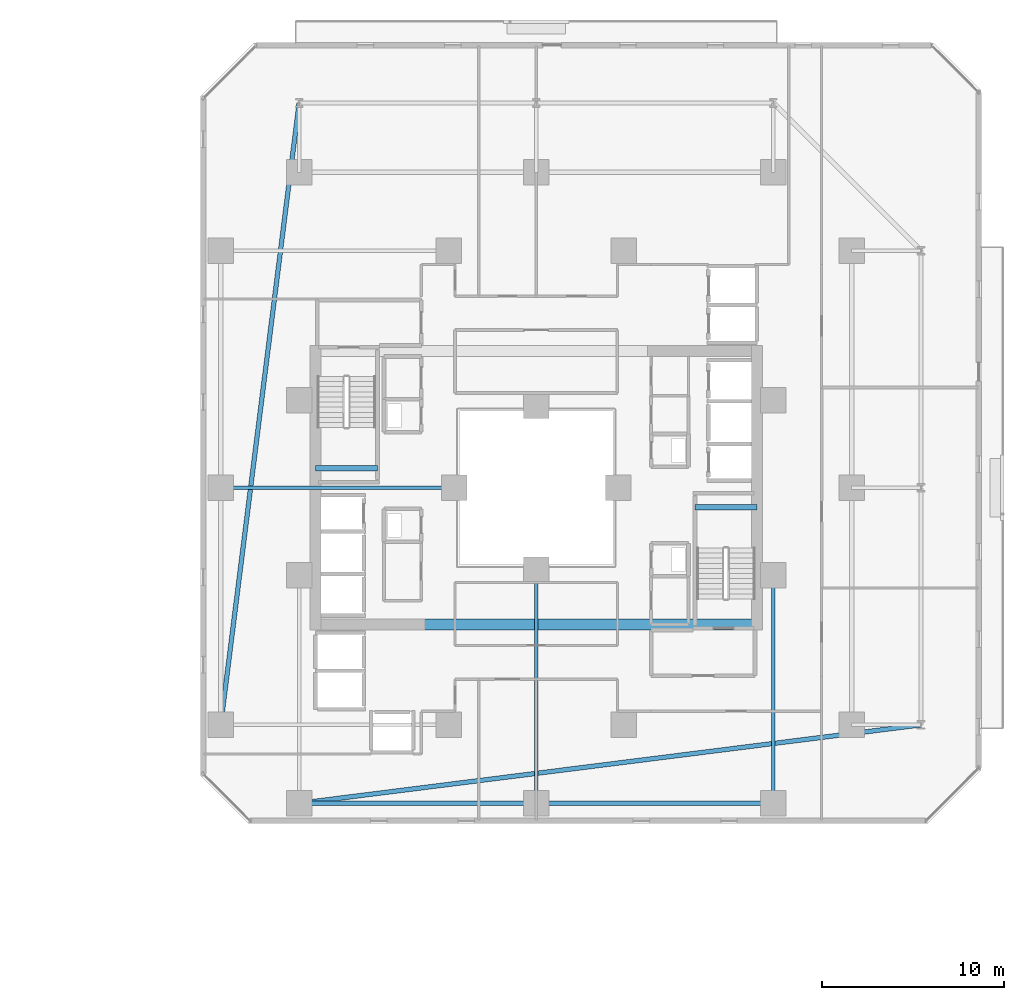
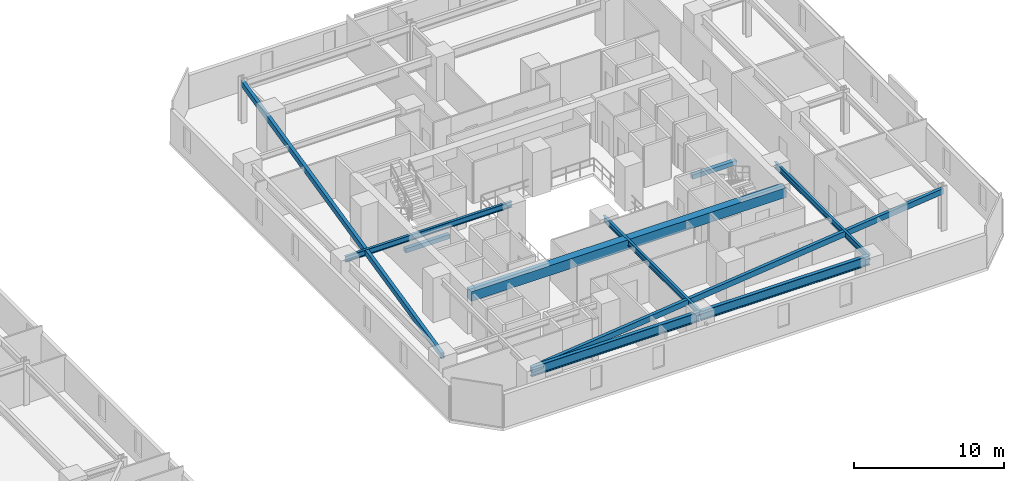
# One storey, part 14 of 35: 10 beams.
"""IFC4 building model written with IfcOpenShell, lengths in metres."""

from ifc_helpers import new_model, si_unit, direction, frame, origin, origin_2d, place, context, subcontext, project, spatial, rectangle, hollow_rectangle, i_section, extrude, material, material_profile, profile_set, type_object, element, save


model = new_model("IFC4")

# Units and contexts
model_context = context("Model", 3, precision=1e-05, world=origin(), true_north=direction((0.0, 1.0)))
body_context = subcontext(model_context, "Body", "Model", "MODEL_VIEW")
ifc_project = project(units=[si_unit("LENGTHUNIT", "METRE"), si_unit("AREAUNIT", "SQUARE_METRE"), si_unit("VOLUMEUNIT", "CUBIC_METRE"), si_unit("PLANEANGLEUNIT", "RADIAN"), si_unit("MASSUNIT", "GRAM", prefix="KILO")], contexts=[model_context])

# Site, building, storey
site_placement = place(None, origin())
site = spatial("IfcSite", under=ifc_project, at=site_placement, CompositionType="ELEMENT")
building_placement = place(site_placement, origin())
building = spatial("IfcBuilding", under=site, at=building_placement, Name="Thornwick Lancets Civic Towers", CompositionType="ELEMENT")
storey_placement = place(building_placement, frame((0.0, 0.0, 64.5)))
storey = spatial("IfcBuildingStorey", under=building, at=storey_placement, Name="L16", CompositionType="ELEMENT", Elevation=64.5)

# Beams
ifc_material_1 = material(Name="Concrete C60/75", Category="concrete")
ifc_material_profile_1 = material_profile(ifc_material_1, rectangle(XDim=0.60009765625, YDim=0.800048828125, at=origin_2d()), Name="RC 600x800")
ifc_profile_set_1 = profile_set([ifc_material_profile_1], Name="Concrete C60/75")
beam_type_1 = type_object("IfcBeamType", Name="BM_COUP_RC800", PredefinedType="BEAM", material=ifc_profile_set_1)
beam_1_placement = place(storey_placement, frame((76.39990234375, 19.5, 2.9599609375), z_axis=(1.0, 0.0, 0.0), x_axis=(0.0, 1.0, 0.0)))
element("IfcBeam", 1, at=beam_1_placement, inside=storey, type_object=beam_type_1, Name="CB-L16-B2", PredefinedType="BEAM", context=body_context, shape_type="SweptSolid", body=[
    extrude(rectangle(XDim=0.60009765625, YDim=0.800048828125, at=origin_2d()), origin(), (0.0, 0.0, 1.0), 24.2001953125),
])
ifc_material_2 = material(Name="Steel S355JR", Category="steel")
ifc_material_profile_2 = material_profile(ifc_material_2, i_section(OverallWidth=0.26806640625, OverallDepth=0.769775390625, WebThickness=0.015625, FlangeThickness=0.025390625, FilletRadius=0.0166015625, at=origin_2d()), Name="UKB 762x267x197")
ifc_profile_set_2 = profile_set([ifc_material_profile_2], Name="Steel S355JR")
beam_type_2 = type_object("IfcBeamType", Name="BM_GIRD_762_197", PredefinedType="BEAM", material=ifc_profile_set_2)
beam_2_placement = place(storey_placement, frame((101.5, 9.699951171875, 2.97509765625), z_axis=(-1.0, 0.0, 0.0), x_axis=(0.0, -1.0, 0.0)))
element("IfcBeam", 2, at=beam_2_placement, inside=storey, type_object=beam_type_2, Name="BM-SPINE-L16-B-9-10", PredefinedType="BEAM", context=body_context, shape_type="SweptSolid", body=[
    extrude(i_section(OverallWidth=0.26806640625, OverallDepth=0.769775390625, WebThickness=0.015625, FlangeThickness=0.025390625, FilletRadius=0.0166015625, at=origin_2d()), origin(), (0.0, 0.0, 1.0), 13.0),
])
beam_3_placement = place(storey_placement, frame((88.419921875, 9.699951171875, 2.97509765625), z_axis=(-1.0, 0.0, 0.0), x_axis=(0.0, -1.0, 0.0)))
element("IfcBeam", 3, at=beam_3_placement, inside=storey, type_object=beam_type_2, Name="BM-SPINE-L16-B-10-11", PredefinedType="BEAM", context=body_context, shape_type="SweptSolid", body=[
    extrude(i_section(OverallWidth=0.26806640625, OverallDepth=0.769775390625, WebThickness=0.015625, FlangeThickness=0.025390625, FilletRadius=0.0166015625, at=origin_2d()), origin(), (0.0, 0.0, 1.0), 12.919921875),
])
ifc_material_profile_3 = material_profile(ifc_material_2, i_section(OverallWidth=0.19287109375, OverallDepth=0.46728515625, WebThickness=0.011474609375, FlangeThickness=0.01953125, FilletRadius=0.01025390625, at=origin_2d()), Name="UKB 457x191x98")
ifc_profile_set_3 = profile_set([ifc_material_profile_3], Name="Steel S355JR")
beam_type_3 = type_object("IfcBeamType", Name="BM_JOIST_457_98", PredefinedType="JOIST", material=ifc_profile_set_3)
beam_4_placement = place(storey_placement, frame((84.0, 27.0, 3.12646484375), z_axis=(-1.0, 0.0, 0.0), x_axis=(0.0, -1.0, 0.0)))
element("IfcBeam", 4, at=beam_4_placement, inside=storey, type_object=beam_type_3, Name="BM-RADIN-L16-B08", PredefinedType="JOIST", context=body_context, shape_type="SweptSolid", body=[
    extrude(i_section(OverallWidth=0.19287109375, OverallDepth=0.46728515625, WebThickness=0.011474609375, FlangeThickness=0.01953125, FilletRadius=0.01025390625, at=origin_2d()), origin(), (0.0, 0.0, 1.0), 12.800048828125),
])
beam_5_placement = place(storey_placement, frame((101.5, 22.199951171875, 3.12646484375), z_axis=(0.0, -1.0, 0.0), x_axis=(1.0, 0.0, 0.0)))
element("IfcBeam", 5, at=beam_5_placement, inside=storey, type_object=beam_type_3, Name="BM-RADIN-L16-B10", PredefinedType="JOIST", context=body_context, shape_type="SweptSolid", body=[
    extrude(i_section(OverallWidth=0.19287109375, OverallDepth=0.46728515625, WebThickness=0.011474609375, FlangeThickness=0.01953125, FilletRadius=0.01025390625, at=origin_2d()), origin(), (0.0, 0.0, 1.0), 12.5),
])
beam_6_placement = place(storey_placement, frame((88.5, 22.5, 3.12646484375), z_axis=(0.0, -1.0, 0.0), x_axis=(1.0, 0.0, 0.0)))
element("IfcBeam", 6, at=beam_6_placement, inside=storey, type_object=beam_type_3, Name="BM-RADIN-L16-B11", PredefinedType="JOIST", context=body_context, shape_type="SweptSolid", body=[
    extrude(i_section(OverallWidth=0.19287109375, OverallDepth=0.46728515625, WebThickness=0.011474609375, FlangeThickness=0.01953125, FilletRadius=0.01025390625, at=origin_2d()), origin(), (0.0, 0.0, 1.0), 12.800048828125),
])
ifc_material_profile_4 = material_profile(ifc_material_2, hollow_rectangle(XDim=0.25, YDim=0.449951171875, WallThickness=0.01611328125, at=origin_2d()), Name="RHS 450x250x16")
ifc_profile_set_4 = profile_set([ifc_material_profile_4], Name="Steel S355JR")
beam_type_4 = type_object("IfcBeamType", Name="BM_RING_RHS450", PredefinedType="BEAM", material=ifc_profile_set_4)
for number, where, z_axis, x_axis, name in (
    (7, (75.5, 48.10009765625, 3.135009765625), (-0.12510998836, -0.992142878225, 0.0), (0.992142878225, -0.12510998836, 0.0), "BM-CHAMF-L16-B-C1"),
    (8, (75.5, 9.699951171875, 3.135009765625), (0.992142878225, 0.12510998836, 0.0), (-0.12510998836, 0.992142878225, 0.0), "BM-CHAMF-L16-B-C3"),
):
    element("IfcBeam", number, at=place(storey_placement, frame(where, z_axis=z_axis, x_axis=x_axis)), inside=storey, type_object=beam_type_4, Name=name, PredefinedType="BEAM", context=body_context, shape_type="SweptSolid", body=[
        extrude(hollow_rectangle(XDim=0.25, YDim=0.449951171875, WallThickness=0.01611328125, at=origin_2d()), origin(), (0.0, 0.0, 1.0), 34.3701171875),
    ])
ifc_material_3 = material(Name="Concrete C40/50", Category="concrete")
ifc_material_profile_5 = material_profile(ifc_material_3, rectangle(XDim=0.300048828125, YDim=0.35009765625, at=origin_2d()), Name="RC 300x350")
ifc_profile_set_5 = profile_set([ifc_material_profile_5], Name="Concrete C40/50")
beam_type_5 = type_object("IfcBeamType", Name="BM_STAIR_LDG", PredefinedType="BEAM", material=ifc_profile_set_5)
for number, where, z_axis, x_axis, name in (
    (9, (100.60009765625, 25.93505859375, 1.3779296875), (-1.0, 0.0, 0.0), (0.0, -1.0, 0.0), "L16 ST-B1 Landing Support Beam 1"),
    (10, (76.39990234375, 28.06494140625, 1.3779296875), (1.0, 0.0, 0.0), (0.0, 1.0, 0.0), "L16 ST-B2 Landing Support Beam 1"),
):
    element("IfcBeam", number, at=place(storey_placement, frame(where, z_axis=z_axis, x_axis=x_axis)), inside=storey, type_object=beam_type_5, Name=name, PredefinedType="BEAM", context=body_context, shape_type="SweptSolid", body=[
        extrude(rectangle(XDim=0.300048828125, YDim=0.35009765625, at=origin_2d()), origin(), (0.0, 0.0, 1.0), 3.400146484375),
    ])

save(model, "model.ifc")
